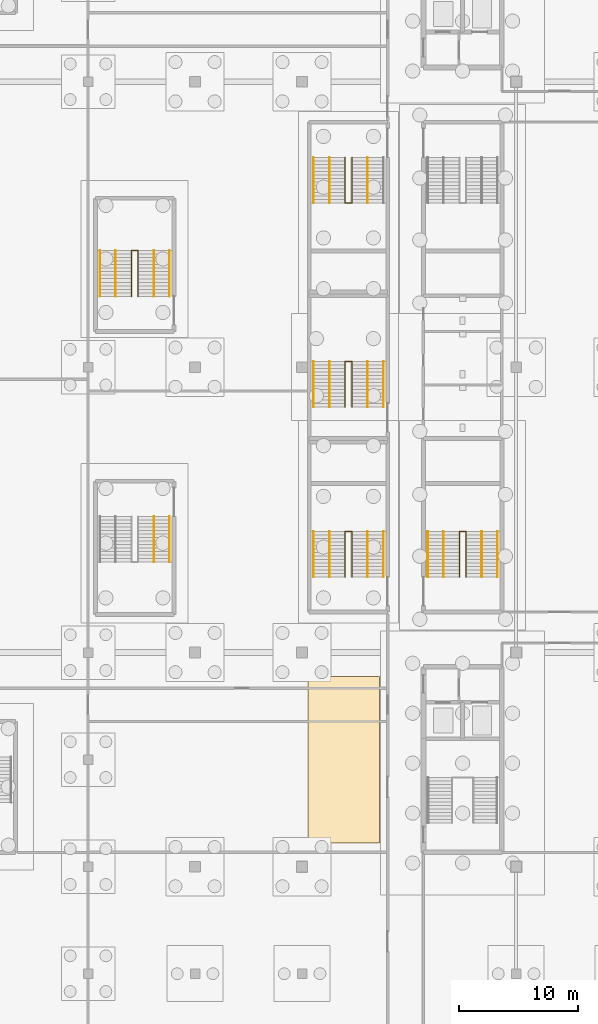
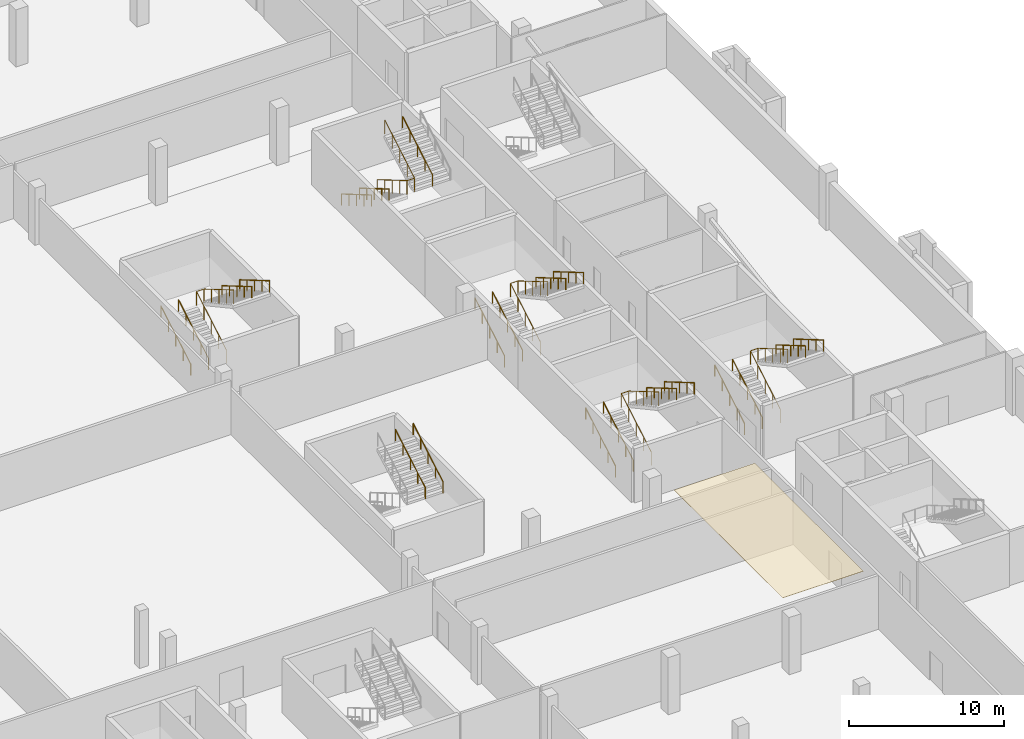
# One storey, part 43 of 46: 26 railings, 1 covering.
"""IFC4 building model written with IfcOpenShell, lengths in metres."""

from ifc_helpers import new_model, si_unit, direction, frame, origin, origin_2d, place, context, subcontext, project, spatial, polyline, circle, outline, extrude, material, layer, layer_set, type_object, element, save


model = new_model("IFC4")

# Units and contexts
model_context = context("Model", 3, precision=1e-05, world=origin(), true_north=direction((0.0, 1.0)))
body_context = subcontext(model_context, "Body", "Model", "MODEL_VIEW")
ifc_project = project(units=[si_unit("LENGTHUNIT", "METRE"), si_unit("AREAUNIT", "SQUARE_METRE"), si_unit("VOLUMEUNIT", "CUBIC_METRE"), si_unit("PLANEANGLEUNIT", "RADIAN"), si_unit("MASSUNIT", "GRAM", prefix="KILO")], contexts=[model_context])

# Site, building, storey
site_placement = place(None, origin())
site = spatial("IfcSite", under=ifc_project, at=site_placement, CompositionType="ELEMENT")
building_placement = place(site_placement, origin())
building = spatial("IfcBuilding", under=site, at=building_placement, Name="Kisiwana Market Hall", CompositionType="ELEMENT")
storey_placement = place(building_placement, frame((0.0, 0.0, -4.5)))
storey = spatial("IfcBuildingStorey", under=building, at=storey_placement, Name="B1", CompositionType="ELEMENT", Elevation=-4.5)

# Covering
ifc_material_1 = material(Name="Mineral-fibre acoustic ceiling board")
ifc_layer = layer(ifc_material_1, 0.02490234375)
ifc_layer_set = layer_set([ifc_layer], Name="COV-CEIL-AC")
covering_type = type_object("IfcCoveringType", Name="COV-CEIL-AC", PredefinedType="CEILING", material=ifc_layer_set)
covering_placement = place(storey_placement, frame((0.0, 0.0, 4.215087890625)))
element("IfcCovering", 1, at=covering_placement, inside=storey, type_object=covering_type, Name="Acoustic ceiling grid B1-002", PredefinedType="CEILING", context=body_context, shape_type="SweptSolid", body=[
    extrude(outline(polyline([(171.5, 20.0), (177.5, 20.0), (177.5, 34.0), (171.5, 34.0), (171.5, 20.0)])), origin(), (0.0, 0.0, 1.0), 0.02490234375),
])

# Railings
ifc_material_2 = material(Name="Steel S275", Category="steel")
railing_type_1 = type_object("IfcRailingType", Name="RL-GUARD-1100", PredefinedType="GUARDRAIL", material=ifc_material_2)
railing_1_placement = place(storey_placement, frame((184.219970703125, 42.360107421875, 0.0)))
element("IfcRailing", 2, at=railing_1_placement, inside=storey, type_object=railing_type_1, Name="Stair ST-E3-B1 inner-well guardrail (RL-047)", PredefinedType="GUARDRAIL", context=body_context, shape_type="SweptSolid", body=[
    extrude(circle(Radius=0.02392578125, at=origin_2d()), frame((0.0, 0.0, 1.076171875), z_axis=(0.0, 0.86250956776, 0.506040754805), x_axis=(-1.0, 0.0, 0.0)), (0.0, 0.0, 1.0), 4.4462890625),
    extrude(circle(Radius=0.02392578125, at=origin_2d()), frame((0.0, 3.8349609375, 3.326171875), z_axis=(1.0, 0.0, 0.0), x_axis=(0.0, 1.0, 0.0)), (0.0, 0.0, 1.0), 0.56005859375),
    extrude(circle(Radius=0.02392578125, at=origin_2d()), frame((0.56005859375, 3.8349609375, 3.326171875), z_axis=(0.0, -0.86250956776, 0.506040754805), x_axis=(1.0, 0.0, 0.0)), (0.0, 0.0, 1.0), 4.4462890625),
    extrude(circle(Radius=0.02099609375, at=origin_2d()), origin(), (0.0, 0.0, 1.0), 1.052001953125),
    extrude(circle(Radius=0.02099609375, at=origin_2d()), frame((0.0, 0.958740234375, 0.5625)), (0.0, 0.0, 1.0), 1.052001953125),
    extrude(circle(Radius=0.02099609375, at=origin_2d()), frame((0.0, 1.91748046875, 1.125)), (0.0, 0.0, 1.0), 1.052001953125),
    extrude(circle(Radius=0.02099609375, at=origin_2d()), frame((0.0, 2.876220703125, 1.6875)), (0.0, 0.0, 1.0), 1.052001953125),
    extrude(circle(Radius=0.02099609375, at=origin_2d()), frame((0.0, 3.8349609375, 2.25)), (0.0, 0.0, 1.0), 1.052001953125),
    extrude(circle(Radius=0.02099609375, at=origin_2d()), frame((0.56005859375, 3.8349609375, 2.25)), (0.0, 0.0, 1.0), 1.052001953125),
    extrude(circle(Radius=0.02099609375, at=origin_2d()), frame((0.56005859375, 2.876220703125, 2.8125)), (0.0, 0.0, 1.0), 1.052001953125),
    extrude(circle(Radius=0.02099609375, at=origin_2d()), frame((0.56005859375, 1.91748046875, 3.375)), (0.0, 0.0, 1.0), 1.052001953125),
    extrude(circle(Radius=0.02099609375, at=origin_2d()), frame((0.56005859375, 0.958740234375, 3.9375)), (0.0, 0.0, 1.0), 1.052001953125),
    extrude(circle(Radius=0.02099609375, at=origin_2d()), frame((0.56005859375, 0.0, 4.5)), (0.0, 0.0, 1.0), 1.052001953125),
])
railing_2_placement = place(storey_placement, frame((174.6201171875, 42.360107421875, 0.0)))
element("IfcRailing", 3, at=railing_2_placement, inside=storey, type_object=railing_type_1, Name="Stair ST-E7-B1 inner-well guardrail (RL-062)", PredefinedType="GUARDRAIL", context=body_context, shape_type="SweptSolid", body=[
    extrude(circle(Radius=0.02392578125, at=origin_2d()), frame((0.0, 0.0, 1.076171875), z_axis=(0.0, 0.86250956776, 0.506040754805), x_axis=(-1.0, 0.0, 0.0)), (0.0, 0.0, 1.0), 4.4462890625),
    extrude(circle(Radius=0.02392578125, at=origin_2d()), frame((0.0, 3.8349609375, 3.326171875), z_axis=(1.0, 0.0, 0.0), x_axis=(0.0, 1.0, 0.0)), (0.0, 0.0, 1.0), 0.559814453125),
    extrude(circle(Radius=0.02392578125, at=origin_2d()), frame((0.559814453125, 3.8349609375, 3.326171875), z_axis=(0.0, -0.86250956776, 0.506040754805), x_axis=(1.0, 0.0, 0.0)), (0.0, 0.0, 1.0), 4.4462890625),
    extrude(circle(Radius=0.02099609375, at=origin_2d()), origin(), (0.0, 0.0, 1.0), 1.052001953125),
    extrude(circle(Radius=0.02099609375, at=origin_2d()), frame((0.0, 0.958740234375, 0.5625)), (0.0, 0.0, 1.0), 1.052001953125),
    extrude(circle(Radius=0.02099609375, at=origin_2d()), frame((0.0, 1.91748046875, 1.125)), (0.0, 0.0, 1.0), 1.052001953125),
    extrude(circle(Radius=0.02099609375, at=origin_2d()), frame((0.0, 2.876220703125, 1.6875)), (0.0, 0.0, 1.0), 1.052001953125),
    extrude(circle(Radius=0.02099609375, at=origin_2d()), frame((0.0, 3.8349609375, 2.25)), (0.0, 0.0, 1.0), 1.052001953125),
    extrude(circle(Radius=0.02099609375, at=origin_2d()), frame((0.559814453125, 3.8349609375, 2.25)), (0.0, 0.0, 1.0), 1.052001953125),
    extrude(circle(Radius=0.02099609375, at=origin_2d()), frame((0.559814453125, 2.876220703125, 2.8125)), (0.0, 0.0, 1.0), 1.052001953125),
    extrude(circle(Radius=0.02099609375, at=origin_2d()), frame((0.559814453125, 1.91748046875, 3.375)), (0.0, 0.0, 1.0), 1.052001953125),
    extrude(circle(Radius=0.02099609375, at=origin_2d()), frame((0.559814453125, 0.958740234375, 3.9375)), (0.0, 0.0, 1.0), 1.052001953125),
    extrude(circle(Radius=0.02099609375, at=origin_2d()), frame((0.559814453125, 0.0, 4.5)), (0.0, 0.0, 1.0), 1.052001953125),
])
railing_3_placement = place(storey_placement, frame((174.6201171875, 77.639892578125, 0.0)))
element("IfcRailing", 4, at=railing_3_placement, inside=storey, type_object=railing_type_1, Name="Stair ST-E8-B1 inner-well guardrail (RL-072)", PredefinedType="GUARDRAIL", context=body_context, shape_type="SweptSolid", body=[
    extrude(circle(Radius=0.02392578125, at=origin_2d()), frame((0.0, 0.0, 1.076171875), z_axis=(0.0, -0.86250956776, 0.506040754805), x_axis=(1.0, 0.0, 0.0)), (0.0, 0.0, 1.0), 4.4462890625),
    extrude(circle(Radius=0.02392578125, at=origin_2d()), frame((0.0, -3.8349609375, 3.326171875), z_axis=(1.0, 0.0, 0.0), x_axis=(0.0, 1.0, 0.0)), (0.0, 0.0, 1.0), 0.559814453125),
    extrude(circle(Radius=0.02392578125, at=origin_2d()), frame((0.559814453125, -3.8349609375, 3.326171875), z_axis=(0.0, 0.86250956776, 0.506040754805), x_axis=(-1.0, 0.0, 0.0)), (0.0, 0.0, 1.0), 4.4462890625),
    extrude(circle(Radius=0.02099609375, at=origin_2d()), origin(), (0.0, 0.0, 1.0), 1.052001953125),
    extrude(circle(Radius=0.02099609375, at=origin_2d()), frame((0.0, -0.958740234375, 0.5625)), (0.0, 0.0, 1.0), 1.052001953125),
    extrude(circle(Radius=0.02099609375, at=origin_2d()), frame((0.0, -1.91748046875, 1.125)), (0.0, 0.0, 1.0), 1.052001953125),
    extrude(circle(Radius=0.02099609375, at=origin_2d()), frame((0.0, -2.876220703125, 1.6875)), (0.0, 0.0, 1.0), 1.052001953125),
    extrude(circle(Radius=0.02099609375, at=origin_2d()), frame((0.0, -3.8349609375, 2.25)), (0.0, 0.0, 1.0), 1.052001953125),
    extrude(circle(Radius=0.02099609375, at=origin_2d()), frame((0.559814453125, -3.8349609375, 2.25)), (0.0, 0.0, 1.0), 1.052001953125),
    extrude(circle(Radius=0.02099609375, at=origin_2d()), frame((0.559814453125, -2.876220703125, 2.8125)), (0.0, 0.0, 1.0), 1.052001953125),
    extrude(circle(Radius=0.02099609375, at=origin_2d()), frame((0.559814453125, -1.91748046875, 3.375)), (0.0, 0.0, 1.0), 1.052001953125),
    extrude(circle(Radius=0.02099609375, at=origin_2d()), frame((0.559814453125, -0.958740234375, 3.9375)), (0.0, 0.0, 1.0), 1.052001953125),
    extrude(circle(Radius=0.02099609375, at=origin_2d()), frame((0.559814453125, 0.0, 4.5)), (0.0, 0.0, 1.0), 1.052001953125),
])
railing_4_placement = place(storey_placement, frame((156.64990234375, 65.9599609375, 0.0)))
element("IfcRailing", 5, at=railing_4_placement, inside=storey, type_object=railing_type_1, Name="Stair ST-E10-B1 inner-well guardrail (RL-092)", PredefinedType="GUARDRAIL", context=body_context, shape_type="SweptSolid", body=[
    extrude(circle(Radius=0.02392578125, at=origin_2d()), frame((0.0, 0.0, 1.076171875), z_axis=(0.0, 0.86250956776, 0.506040754805), x_axis=(-1.0, 0.0, 0.0)), (0.0, 0.0, 1.0), 4.4462890625),
    extrude(circle(Radius=0.02392578125, at=origin_2d()), frame((0.0, 3.8349609375, 3.326171875), z_axis=(1.0, 0.0, 0.0), x_axis=(0.0, 1.0, 0.0)), (0.0, 0.0, 1.0), 0.56005859375),
    extrude(circle(Radius=0.02392578125, at=origin_2d()), frame((0.56005859375, 3.8349609375, 3.326171875), z_axis=(0.0, -0.86250956776, 0.506040754805), x_axis=(1.0, 0.0, 0.0)), (0.0, 0.0, 1.0), 4.4462890625),
    extrude(circle(Radius=0.02099609375, at=origin_2d()), origin(), (0.0, 0.0, 1.0), 1.052001953125),
    extrude(circle(Radius=0.02099609375, at=origin_2d()), frame((0.0, 0.958740234375, 0.5625)), (0.0, 0.0, 1.0), 1.052001953125),
    extrude(circle(Radius=0.02099609375, at=origin_2d()), frame((0.0, 1.91748046875, 1.125)), (0.0, 0.0, 1.0), 1.052001953125),
    extrude(circle(Radius=0.02099609375, at=origin_2d()), frame((0.0, 2.876220703125, 1.6875)), (0.0, 0.0, 1.0), 1.052001953125),
    extrude(circle(Radius=0.02099609375, at=origin_2d()), frame((0.0, 3.8349609375, 2.25)), (0.0, 0.0, 1.0), 1.052001953125),
    extrude(circle(Radius=0.02099609375, at=origin_2d()), frame((0.56005859375, 3.8349609375, 2.25)), (0.0, 0.0, 1.0), 1.052001953125),
    extrude(circle(Radius=0.02099609375, at=origin_2d()), frame((0.56005859375, 2.876220703125, 2.8125)), (0.0, 0.0, 1.0), 1.052001953125),
    extrude(circle(Radius=0.02099609375, at=origin_2d()), frame((0.56005859375, 1.91748046875, 3.375)), (0.0, 0.0, 1.0), 1.052001953125),
    extrude(circle(Radius=0.02099609375, at=origin_2d()), frame((0.56005859375, 0.958740234375, 3.9375)), (0.0, 0.0, 1.0), 1.052001953125),
    extrude(circle(Radius=0.02099609375, at=origin_2d()), frame((0.56005859375, 0.0, 4.5)), (0.0, 0.0, 1.0), 1.052001953125),
])
railing_5_placement = place(storey_placement, frame((174.6201171875, 56.639892578125, 0.0)))
element("IfcRailing", 6, at=railing_5_placement, inside=storey, type_object=railing_type_1, Name="Stair ST-E5-B1 inner-well guardrail (RL-102)", PredefinedType="GUARDRAIL", context=body_context, shape_type="SweptSolid", body=[
    extrude(circle(Radius=0.02392578125, at=origin_2d()), frame((0.0, 0.0, 1.076171875), z_axis=(0.0, 0.86252362769, 0.506016789916), x_axis=(-1.0, 0.0, 0.0)), (0.0, 0.0, 1.0), 4.446533203125),
    extrude(circle(Radius=0.02392578125, at=origin_2d()), frame((0.0, 3.835205078125, 3.326171875), z_axis=(1.0, 0.0, 0.0), x_axis=(0.0, 1.0, 0.0)), (0.0, 0.0, 1.0), 0.559814453125),
    extrude(circle(Radius=0.02392578125, at=origin_2d()), frame((0.559814453125, 3.835205078125, 3.326171875), z_axis=(0.0, -0.86252362769, 0.506016789916), x_axis=(1.0, 0.0, 0.0)), (0.0, 0.0, 1.0), 4.446533203125),
    extrude(circle(Radius=0.02099609375, at=origin_2d()), origin(), (0.0, 0.0, 1.0), 1.052001953125),
    extrude(circle(Radius=0.02099609375, at=origin_2d()), frame((0.0, 0.958740234375, 0.5625)), (0.0, 0.0, 1.0), 1.052001953125),
    extrude(circle(Radius=0.02099609375, at=origin_2d()), frame((0.0, 1.91748046875, 1.125)), (0.0, 0.0, 1.0), 1.052001953125),
    extrude(circle(Radius=0.02099609375, at=origin_2d()), frame((0.0, 2.87646484375, 1.6875)), (0.0, 0.0, 1.0), 1.052001953125),
    extrude(circle(Radius=0.02099609375, at=origin_2d()), frame((0.0, 3.835205078125, 2.25)), (0.0, 0.0, 1.0), 1.052001953125),
    extrude(circle(Radius=0.02099609375, at=origin_2d()), frame((0.559814453125, 3.835205078125, 2.25)), (0.0, 0.0, 1.0), 1.052001953125),
    extrude(circle(Radius=0.02099609375, at=origin_2d()), frame((0.559814453125, 2.87646484375, 2.8125)), (0.0, 0.0, 1.0), 1.052001953125),
    extrude(circle(Radius=0.02099609375, at=origin_2d()), frame((0.559814453125, 1.91748046875, 3.375)), (0.0, 0.0, 1.0), 1.052001953125),
    extrude(circle(Radius=0.02099609375, at=origin_2d()), frame((0.559814453125, 0.958740234375, 3.9375)), (0.0, 0.0, 1.0), 1.052001953125),
    extrude(circle(Radius=0.02099609375, at=origin_2d()), frame((0.559814453125, 0.0, 4.5)), (0.0, 0.0, 1.0), 1.052001953125),
])
ifc_material_3 = material(Name="Steel S275", Category="steel")
railing_type_2 = type_object("IfcRailingType", Name="RL-HAND-900", PredefinedType="HANDRAIL", material=ifc_material_3)
railing_6_placement = place(storey_placement, frame((181.570068359375, 42.360107421875, 0.0)))
element("IfcRailing", 7, at=railing_6_placement, inside=storey, type_object=railing_type_2, Name="Stair ST-E3-B1 flight 1 handrail (RL-048)", PredefinedType="HANDRAIL", context=body_context, shape_type="SweptSolid", body=[
    extrude(circle(Radius=0.02392578125, at=origin_2d()), frame((0.0, 0.0, 0.8759765625), z_axis=(0.0, 0.86250956776, 0.506040754805), x_axis=(-1.0, 0.0, 0.0)), (0.0, 0.0, 1.0), 4.4462890625),
    extrude(circle(Radius=0.02099609375, at=origin_2d()), origin(), (0.0, 0.0, 1.0), 0.851806640625),
    extrude(circle(Radius=0.02099609375, at=origin_2d()), frame((0.0, 0.958740234375, 0.5625)), (0.0, 0.0, 1.0), 0.851806640625),
    extrude(circle(Radius=0.02099609375, at=origin_2d()), frame((0.0, 1.91748046875, 1.125)), (0.0, 0.0, 1.0), 0.851806640625),
    extrude(circle(Radius=0.02099609375, at=origin_2d()), frame((0.0, 2.876220703125, 1.6875)), (0.0, 0.0, 1.0), 0.851806640625),
    extrude(circle(Radius=0.02099609375, at=origin_2d()), frame((0.0, 3.8349609375, 2.25)), (0.0, 0.0, 1.0), 0.851806640625),
])
railing_7_placement = place(storey_placement, frame((187.429931640625, 46.195068359375, 2.25)))
element("IfcRailing", 8, at=railing_7_placement, inside=storey, type_object=railing_type_2, Name="Stair ST-E3-B1 flight 2 handrail (RL-049)", PredefinedType="HANDRAIL", context=body_context, shape_type="SweptSolid", body=[
    extrude(circle(Radius=0.02392578125, at=origin_2d()), frame((0.0, 0.0, 0.8759765625), z_axis=(0.0, -0.86250956776, 0.506040754805), x_axis=(1.0, 0.0, 0.0)), (0.0, 0.0, 1.0), 4.4462890625),
    extrude(circle(Radius=0.02099609375, at=origin_2d()), origin(), (0.0, 0.0, 1.0), 0.851806640625),
    extrude(circle(Radius=0.02099609375, at=origin_2d()), frame((0.0, -0.958740234375, 0.5625)), (0.0, 0.0, 1.0), 0.851806640625),
    extrude(circle(Radius=0.02099609375, at=origin_2d()), frame((0.0, -1.91748046875, 1.125)), (0.0, 0.0, 1.0), 0.851806640625),
    extrude(circle(Radius=0.02099609375, at=origin_2d()), frame((0.0, -2.876220703125, 1.6875)), (0.0, 0.0, 1.0), 0.851806640625),
    extrude(circle(Radius=0.02099609375, at=origin_2d()), frame((0.0, -3.8349609375, 2.25)), (0.0, 0.0, 1.0), 0.851806640625),
])
railing_8_placement = place(storey_placement, frame((182.889892578125, 42.360107421875, 0.0)))
element("IfcRailing", 9, at=railing_8_placement, inside=storey, type_object=railing_type_2, Name="Stair ST-E3-B1 flight 1 intermediate handrail (RL-050)", PredefinedType="HANDRAIL", context=body_context, shape_type="SweptSolid", body=[
    extrude(circle(Radius=0.02392578125, at=origin_2d()), frame((0.0, 0.0, 0.8759765625), z_axis=(0.0, 0.86250956776, 0.506040754805), x_axis=(-1.0, 0.0, 0.0)), (0.0, 0.0, 1.0), 4.4462890625),
    extrude(circle(Radius=0.02099609375, at=origin_2d()), origin(), (0.0, 0.0, 1.0), 0.851806640625),
    extrude(circle(Radius=0.02099609375, at=origin_2d()), frame((0.0, 0.958740234375, 0.5625)), (0.0, 0.0, 1.0), 0.851806640625),
    extrude(circle(Radius=0.02099609375, at=origin_2d()), frame((0.0, 1.91748046875, 1.125)), (0.0, 0.0, 1.0), 0.851806640625),
    extrude(circle(Radius=0.02099609375, at=origin_2d()), frame((0.0, 2.876220703125, 1.6875)), (0.0, 0.0, 1.0), 0.851806640625),
    extrude(circle(Radius=0.02099609375, at=origin_2d()), frame((0.0, 3.8349609375, 2.25)), (0.0, 0.0, 1.0), 0.851806640625),
])
railing_9_placement = place(storey_placement, frame((186.110107421875, 46.195068359375, 2.25)))
element("IfcRailing", 10, at=railing_9_placement, inside=storey, type_object=railing_type_2, Name="Stair ST-E3-B1 flight 2 intermediate handrail (RL-051)", PredefinedType="HANDRAIL", context=body_context, shape_type="SweptSolid", body=[
    extrude(circle(Radius=0.02392578125, at=origin_2d()), frame((0.0, 0.0, 0.8759765625), z_axis=(0.0, -0.86250956776, 0.506040754805), x_axis=(1.0, 0.0, 0.0)), (0.0, 0.0, 1.0), 4.4462890625),
    extrude(circle(Radius=0.02099609375, at=origin_2d()), origin(), (0.0, 0.0, 1.0), 0.851806640625),
    extrude(circle(Radius=0.02099609375, at=origin_2d()), frame((0.0, -0.958740234375, 0.5625)), (0.0, 0.0, 1.0), 0.851806640625),
    extrude(circle(Radius=0.02099609375, at=origin_2d()), frame((0.0, -1.91748046875, 1.125)), (0.0, 0.0, 1.0), 0.851806640625),
    extrude(circle(Radius=0.02099609375, at=origin_2d()), frame((0.0, -2.876220703125, 1.6875)), (0.0, 0.0, 1.0), 0.851806640625),
    extrude(circle(Radius=0.02099609375, at=origin_2d()), frame((0.0, -3.8349609375, 2.25)), (0.0, 0.0, 1.0), 0.851806640625),
])
railing_10_placement = place(storey_placement, frame((171.969970703125, 42.360107421875, 0.0)))
element("IfcRailing", 11, at=railing_10_placement, inside=storey, type_object=railing_type_2, Name="Stair ST-E7-B1 flight 1 handrail (RL-063)", PredefinedType="HANDRAIL", context=body_context, shape_type="SweptSolid", body=[
    extrude(circle(Radius=0.02392578125, at=origin_2d()), frame((0.0, 0.0, 0.8759765625), z_axis=(0.0, 0.86250956776, 0.506040754805), x_axis=(-1.0, 0.0, 0.0)), (0.0, 0.0, 1.0), 4.4462890625),
    extrude(circle(Radius=0.02099609375, at=origin_2d()), origin(), (0.0, 0.0, 1.0), 0.851806640625),
    extrude(circle(Radius=0.02099609375, at=origin_2d()), frame((0.0, 0.958740234375, 0.5625)), (0.0, 0.0, 1.0), 0.851806640625),
    extrude(circle(Radius=0.02099609375, at=origin_2d()), frame((0.0, 1.91748046875, 1.125)), (0.0, 0.0, 1.0), 0.851806640625),
    extrude(circle(Radius=0.02099609375, at=origin_2d()), frame((0.0, 2.876220703125, 1.6875)), (0.0, 0.0, 1.0), 0.851806640625),
    extrude(circle(Radius=0.02099609375, at=origin_2d()), frame((0.0, 3.8349609375, 2.25)), (0.0, 0.0, 1.0), 0.851806640625),
])
railing_11_placement = place(storey_placement, frame((177.830078125, 46.195068359375, 2.25)))
element("IfcRailing", 12, at=railing_11_placement, inside=storey, type_object=railing_type_2, Name="Stair ST-E7-B1 flight 2 handrail (RL-064)", PredefinedType="HANDRAIL", context=body_context, shape_type="SweptSolid", body=[
    extrude(circle(Radius=0.02392578125, at=origin_2d()), frame((0.0, 0.0, 0.8759765625), z_axis=(0.0, -0.86250956776, 0.506040754805), x_axis=(1.0, 0.0, 0.0)), (0.0, 0.0, 1.0), 4.4462890625),
    extrude(circle(Radius=0.02099609375, at=origin_2d()), origin(), (0.0, 0.0, 1.0), 0.851806640625),
    extrude(circle(Radius=0.02099609375, at=origin_2d()), frame((0.0, -0.958740234375, 0.5625)), (0.0, 0.0, 1.0), 0.851806640625),
    extrude(circle(Radius=0.02099609375, at=origin_2d()), frame((0.0, -1.91748046875, 1.125)), (0.0, 0.0, 1.0), 0.851806640625),
    extrude(circle(Radius=0.02099609375, at=origin_2d()), frame((0.0, -2.876220703125, 1.6875)), (0.0, 0.0, 1.0), 0.851806640625),
    extrude(circle(Radius=0.02099609375, at=origin_2d()), frame((0.0, -3.8349609375, 2.25)), (0.0, 0.0, 1.0), 0.851806640625),
])
railing_12_placement = place(storey_placement, frame((173.2900390625, 42.360107421875, 0.0)))
element("IfcRailing", 13, at=railing_12_placement, inside=storey, type_object=railing_type_2, Name="Stair ST-E7-B1 flight 1 intermediate handrail (RL-065)", PredefinedType="HANDRAIL", context=body_context, shape_type="SweptSolid", body=[
    extrude(circle(Radius=0.02392578125, at=origin_2d()), frame((0.0, 0.0, 0.8759765625), z_axis=(0.0, 0.86250956776, 0.506040754805), x_axis=(-1.0, 0.0, 0.0)), (0.0, 0.0, 1.0), 4.4462890625),
    extrude(circle(Radius=0.02099609375, at=origin_2d()), origin(), (0.0, 0.0, 1.0), 0.851806640625),
    extrude(circle(Radius=0.02099609375, at=origin_2d()), frame((0.0, 0.958740234375, 0.5625)), (0.0, 0.0, 1.0), 0.851806640625),
    extrude(circle(Radius=0.02099609375, at=origin_2d()), frame((0.0, 1.91748046875, 1.125)), (0.0, 0.0, 1.0), 0.851806640625),
    extrude(circle(Radius=0.02099609375, at=origin_2d()), frame((0.0, 2.876220703125, 1.6875)), (0.0, 0.0, 1.0), 0.851806640625),
    extrude(circle(Radius=0.02099609375, at=origin_2d()), frame((0.0, 3.8349609375, 2.25)), (0.0, 0.0, 1.0), 0.851806640625),
])
for number, where, name in (
    (14, (176.510009765625, 46.195068359375, 2.25), "Stair ST-E7-B1 flight 2 intermediate handrail (RL-066)"),
    (15, (171.969970703125, 77.639892578125, 0.0), "Stair ST-E8-B1 flight 1 handrail (RL-073)"),
    (16, (173.2900390625, 77.639892578125, 0.0), "Stair ST-E8-B1 flight 1 intermediate handrail (RL-075)"),
):
    element("IfcRailing", number, at=place(storey_placement, frame(where)), inside=storey, type_object=railing_type_2, Name=name, PredefinedType="HANDRAIL", context=body_context, shape_type="SweptSolid", body=[
        extrude(circle(Radius=0.02392578125, at=origin_2d()), frame((0.0, 0.0, 0.8759765625), z_axis=(0.0, -0.86250956776, 0.506040754805), x_axis=(1.0, 0.0, 0.0)), (0.0, 0.0, 1.0), 4.4462890625),
        extrude(circle(Radius=0.02099609375, at=origin_2d()), origin(), (0.0, 0.0, 1.0), 0.851806640625),
        extrude(circle(Radius=0.02099609375, at=origin_2d()), frame((0.0, -0.958740234375, 0.5625)), (0.0, 0.0, 1.0), 0.851806640625),
        extrude(circle(Radius=0.02099609375, at=origin_2d()), frame((0.0, -1.91748046875, 1.125)), (0.0, 0.0, 1.0), 0.851806640625),
        extrude(circle(Radius=0.02099609375, at=origin_2d()), frame((0.0, -2.876220703125, 1.6875)), (0.0, 0.0, 1.0), 0.851806640625),
        extrude(circle(Radius=0.02099609375, at=origin_2d()), frame((0.0, -3.8349609375, 2.25)), (0.0, 0.0, 1.0), 0.851806640625),
    ])
for number, where, name in (
    (17, (176.510009765625, 73.804931640625, 2.25), "Stair ST-E8-B1 flight 2 intermediate handrail (RL-076)"),
    (18, (159.860107421875, 43.60498046875, 2.25), "Stair ST-E9-B1 flight 2 handrail (RL-084)"),
    (19, (158.5400390625, 43.60498046875, 2.25), "Stair ST-E9-B1 flight 2 intermediate handrail (RL-086)"),
    (20, (154.0, 65.9599609375, 0.0), "Stair ST-E10-B1 flight 1 handrail (RL-093)"),
):
    element("IfcRailing", number, at=place(storey_placement, frame(where)), inside=storey, type_object=railing_type_2, Name=name, PredefinedType="HANDRAIL", context=body_context, shape_type="SweptSolid", body=[
        extrude(circle(Radius=0.02392578125, at=origin_2d()), frame((0.0, 0.0, 0.8759765625), z_axis=(0.0, 0.86250956776, 0.506040754805), x_axis=(-1.0, 0.0, 0.0)), (0.0, 0.0, 1.0), 4.4462890625),
        extrude(circle(Radius=0.02099609375, at=origin_2d()), origin(), (0.0, 0.0, 1.0), 0.851806640625),
        extrude(circle(Radius=0.02099609375, at=origin_2d()), frame((0.0, 0.958740234375, 0.5625)), (0.0, 0.0, 1.0), 0.851806640625),
        extrude(circle(Radius=0.02099609375, at=origin_2d()), frame((0.0, 1.91748046875, 1.125)), (0.0, 0.0, 1.0), 0.851806640625),
        extrude(circle(Radius=0.02099609375, at=origin_2d()), frame((0.0, 2.876220703125, 1.6875)), (0.0, 0.0, 1.0), 0.851806640625),
        extrude(circle(Radius=0.02099609375, at=origin_2d()), frame((0.0, 3.8349609375, 2.25)), (0.0, 0.0, 1.0), 0.851806640625),
    ])
railing_13_placement = place(storey_placement, frame((159.860107421875, 69.794921875, 2.25)))
element("IfcRailing", 21, at=railing_13_placement, inside=storey, type_object=railing_type_2, Name="Stair ST-E10-B1 flight 2 handrail (RL-094)", PredefinedType="HANDRAIL", context=body_context, shape_type="SweptSolid", body=[
    extrude(circle(Radius=0.02392578125, at=origin_2d()), frame((0.0, 0.0, 0.8759765625), z_axis=(0.0, -0.86250956776, 0.506040754805), x_axis=(1.0, 0.0, 0.0)), (0.0, 0.0, 1.0), 4.4462890625),
    extrude(circle(Radius=0.02099609375, at=origin_2d()), origin(), (0.0, 0.0, 1.0), 0.851806640625),
    extrude(circle(Radius=0.02099609375, at=origin_2d()), frame((0.0, -0.958740234375, 0.5625)), (0.0, 0.0, 1.0), 0.851806640625),
    extrude(circle(Radius=0.02099609375, at=origin_2d()), frame((0.0, -1.91748046875, 1.125)), (0.0, 0.0, 1.0), 0.851806640625),
    extrude(circle(Radius=0.02099609375, at=origin_2d()), frame((0.0, -2.876220703125, 1.6875)), (0.0, 0.0, 1.0), 0.851806640625),
    extrude(circle(Radius=0.02099609375, at=origin_2d()), frame((0.0, -3.8349609375, 2.25)), (0.0, 0.0, 1.0), 0.851806640625),
])
railing_14_placement = place(storey_placement, frame((155.320068359375, 65.9599609375, 0.0)))
element("IfcRailing", 22, at=railing_14_placement, inside=storey, type_object=railing_type_2, Name="Stair ST-E10-B1 flight 1 intermediate handrail (RL-095)", PredefinedType="HANDRAIL", context=body_context, shape_type="SweptSolid", body=[
    extrude(circle(Radius=0.02392578125, at=origin_2d()), frame((0.0, 0.0, 0.8759765625), z_axis=(0.0, 0.86250956776, 0.506040754805), x_axis=(-1.0, 0.0, 0.0)), (0.0, 0.0, 1.0), 4.4462890625),
    extrude(circle(Radius=0.02099609375, at=origin_2d()), origin(), (0.0, 0.0, 1.0), 0.851806640625),
    extrude(circle(Radius=0.02099609375, at=origin_2d()), frame((0.0, 0.958740234375, 0.5625)), (0.0, 0.0, 1.0), 0.851806640625),
    extrude(circle(Radius=0.02099609375, at=origin_2d()), frame((0.0, 1.91748046875, 1.125)), (0.0, 0.0, 1.0), 0.851806640625),
    extrude(circle(Radius=0.02099609375, at=origin_2d()), frame((0.0, 2.876220703125, 1.6875)), (0.0, 0.0, 1.0), 0.851806640625),
    extrude(circle(Radius=0.02099609375, at=origin_2d()), frame((0.0, 3.8349609375, 2.25)), (0.0, 0.0, 1.0), 0.851806640625),
])
railing_15_placement = place(storey_placement, frame((158.5400390625, 69.794921875, 2.25)))
element("IfcRailing", 23, at=railing_15_placement, inside=storey, type_object=railing_type_2, Name="Stair ST-E10-B1 flight 2 intermediate handrail (RL-096)", PredefinedType="HANDRAIL", context=body_context, shape_type="SweptSolid", body=[
    extrude(circle(Radius=0.02392578125, at=origin_2d()), frame((0.0, 0.0, 0.8759765625), z_axis=(0.0, -0.86250956776, 0.506040754805), x_axis=(1.0, 0.0, 0.0)), (0.0, 0.0, 1.0), 4.4462890625),
    extrude(circle(Radius=0.02099609375, at=origin_2d()), origin(), (0.0, 0.0, 1.0), 0.851806640625),
    extrude(circle(Radius=0.02099609375, at=origin_2d()), frame((0.0, -0.958740234375, 0.5625)), (0.0, 0.0, 1.0), 0.851806640625),
    extrude(circle(Radius=0.02099609375, at=origin_2d()), frame((0.0, -1.91748046875, 1.125)), (0.0, 0.0, 1.0), 0.851806640625),
    extrude(circle(Radius=0.02099609375, at=origin_2d()), frame((0.0, -2.876220703125, 1.6875)), (0.0, 0.0, 1.0), 0.851806640625),
    extrude(circle(Radius=0.02099609375, at=origin_2d()), frame((0.0, -3.8349609375, 2.25)), (0.0, 0.0, 1.0), 0.851806640625),
])
railing_16_placement = place(storey_placement, frame((171.969970703125, 56.639892578125, 0.0)))
element("IfcRailing", 24, at=railing_16_placement, inside=storey, type_object=railing_type_2, Name="Stair ST-E5-B1 flight 1 handrail (RL-103)", PredefinedType="HANDRAIL", context=body_context, shape_type="SweptSolid", body=[
    extrude(circle(Radius=0.02392578125, at=origin_2d()), frame((0.0, 0.0, 0.8759765625), z_axis=(0.0, 0.86252362769, 0.506016789916), x_axis=(-1.0, 0.0, 0.0)), (0.0, 0.0, 1.0), 4.446533203125),
    extrude(circle(Radius=0.02099609375, at=origin_2d()), origin(), (0.0, 0.0, 1.0), 0.851806640625),
    extrude(circle(Radius=0.02099609375, at=origin_2d()), frame((0.0, 0.958740234375, 0.5625)), (0.0, 0.0, 1.0), 0.851806640625),
    extrude(circle(Radius=0.02099609375, at=origin_2d()), frame((0.0, 1.91748046875, 1.125)), (0.0, 0.0, 1.0), 0.851806640625),
    extrude(circle(Radius=0.02099609375, at=origin_2d()), frame((0.0, 2.87646484375, 1.6875)), (0.0, 0.0, 1.0), 0.851806640625),
    extrude(circle(Radius=0.02099609375, at=origin_2d()), frame((0.0, 3.835205078125, 2.25)), (0.0, 0.0, 1.0), 0.851806640625),
])
railing_17_placement = place(storey_placement, frame((177.830078125, 60.47509765625, 2.25)))
element("IfcRailing", 25, at=railing_17_placement, inside=storey, type_object=railing_type_2, Name="Stair ST-E5-B1 flight 2 handrail (RL-104)", PredefinedType="HANDRAIL", context=body_context, shape_type="SweptSolid", body=[
    extrude(circle(Radius=0.02392578125, at=origin_2d()), frame((0.0, 0.0, 0.8759765625), z_axis=(0.0, -0.86252362769, 0.506016789916), x_axis=(1.0, 0.0, 0.0)), (0.0, 0.0, 1.0), 4.446533203125),
    extrude(circle(Radius=0.02099609375, at=origin_2d()), origin(), (0.0, 0.0, 1.0), 0.851806640625),
    extrude(circle(Radius=0.02099609375, at=origin_2d()), frame((0.0, -0.958740234375, 0.5625)), (0.0, 0.0, 1.0), 0.851806640625),
    extrude(circle(Radius=0.02099609375, at=origin_2d()), frame((0.0, -1.91748046875, 1.125)), (0.0, 0.0, 1.0), 0.851806640625),
    extrude(circle(Radius=0.02099609375, at=origin_2d()), frame((0.0, -2.87646484375, 1.6875)), (0.0, 0.0, 1.0), 0.851806640625),
    extrude(circle(Radius=0.02099609375, at=origin_2d()), frame((0.0, -3.835205078125, 2.25)), (0.0, 0.0, 1.0), 0.851806640625),
])
railing_18_placement = place(storey_placement, frame((173.2900390625, 56.639892578125, 0.0)))
element("IfcRailing", 26, at=railing_18_placement, inside=storey, type_object=railing_type_2, Name="Stair ST-E5-B1 flight 1 intermediate handrail (RL-105)", PredefinedType="HANDRAIL", context=body_context, shape_type="SweptSolid", body=[
    extrude(circle(Radius=0.02392578125, at=origin_2d()), frame((0.0, 0.0, 0.8759765625), z_axis=(0.0, 0.86252362769, 0.506016789916), x_axis=(-1.0, 0.0, 0.0)), (0.0, 0.0, 1.0), 4.446533203125),
    extrude(circle(Radius=0.02099609375, at=origin_2d()), origin(), (0.0, 0.0, 1.0), 0.851806640625),
    extrude(circle(Radius=0.02099609375, at=origin_2d()), frame((0.0, 0.958740234375, 0.5625)), (0.0, 0.0, 1.0), 0.851806640625),
    extrude(circle(Radius=0.02099609375, at=origin_2d()), frame((0.0, 1.91748046875, 1.125)), (0.0, 0.0, 1.0), 0.851806640625),
    extrude(circle(Radius=0.02099609375, at=origin_2d()), frame((0.0, 2.87646484375, 1.6875)), (0.0, 0.0, 1.0), 0.851806640625),
    extrude(circle(Radius=0.02099609375, at=origin_2d()), frame((0.0, 3.835205078125, 2.25)), (0.0, 0.0, 1.0), 0.851806640625),
])
railing_19_placement = place(storey_placement, frame((176.510009765625, 60.47509765625, 2.25)))
element("IfcRailing", 27, at=railing_19_placement, inside=storey, type_object=railing_type_2, Name="Stair ST-E5-B1 flight 2 intermediate handrail (RL-106)", PredefinedType="HANDRAIL", context=body_context, shape_type="SweptSolid", body=[
    extrude(circle(Radius=0.02392578125, at=origin_2d()), frame((0.0, 0.0, 0.8759765625), z_axis=(0.0, -0.86252362769, 0.506016789916), x_axis=(1.0, 0.0, 0.0)), (0.0, 0.0, 1.0), 4.446533203125),
    extrude(circle(Radius=0.02099609375, at=origin_2d()), origin(), (0.0, 0.0, 1.0), 0.851806640625),
    extrude(circle(Radius=0.02099609375, at=origin_2d()), frame((0.0, -0.958740234375, 0.5625)), (0.0, 0.0, 1.0), 0.851806640625),
    extrude(circle(Radius=0.02099609375, at=origin_2d()), frame((0.0, -1.91748046875, 1.125)), (0.0, 0.0, 1.0), 0.851806640625),
    extrude(circle(Radius=0.02099609375, at=origin_2d()), frame((0.0, -2.87646484375, 1.6875)), (0.0, 0.0, 1.0), 0.851806640625),
    extrude(circle(Radius=0.02099609375, at=origin_2d()), frame((0.0, -3.835205078125, 2.25)), (0.0, 0.0, 1.0), 0.851806640625),
])

save(model, "model.ifc")
